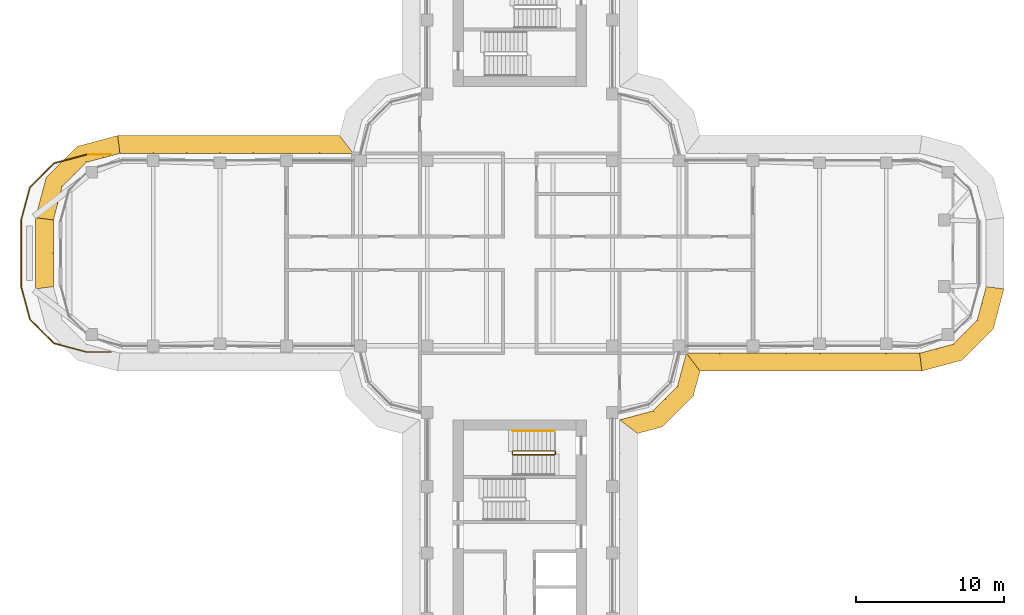
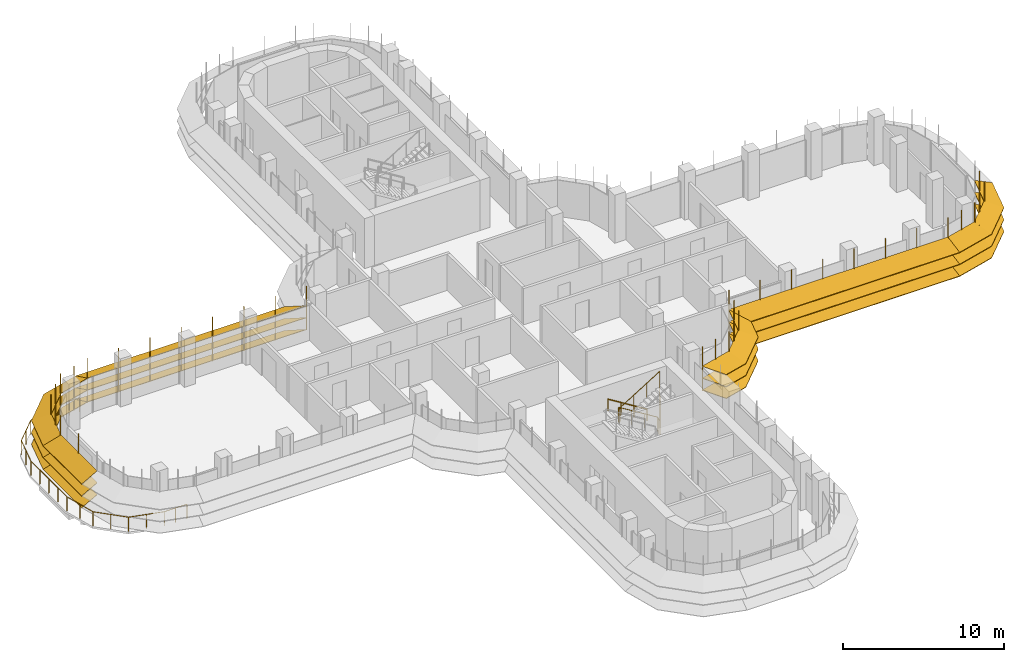
# One storey, part 18 of 20: 6 shading devices, 4 railings.
"""IFC4 building model written with IfcOpenShell, lengths in metres."""

from ifc_helpers import new_model, si_unit, direction, frame, origin, origin_2d, place, context, subcontext, project, spatial, polyline, circle, outline, extrude, faceted_brep, source, transform, mapped, material, type_object, element, save


model = new_model("IFC4")

# Units and contexts
model_context = context("Model", 3, precision=1e-05, world=origin(), true_north=direction((0.0, 1.0)))
body_context = subcontext(model_context, "Body", "Model", "MODEL_VIEW")
ifc_project = project(units=[si_unit("LENGTHUNIT", "METRE"), si_unit("AREAUNIT", "SQUARE_METRE"), si_unit("VOLUMEUNIT", "CUBIC_METRE"), si_unit("PLANEANGLEUNIT", "RADIAN"), si_unit("MASSUNIT", "GRAM", prefix="KILO")], contexts=[model_context])

# Site, building, storey
site_placement = place(None, origin())
site = spatial("IfcSite", under=ifc_project, at=site_placement, CompositionType="ELEMENT")
building_placement = place(site_placement, origin())
building = spatial("IfcBuilding", under=site, at=building_placement, Name="Zarbagh Exchange Tower", CompositionType="ELEMENT")
storey_placement = place(building_placement, frame((0.0, 0.0, 186.60009765625)))
storey = spatial("IfcBuildingStorey", under=building, at=storey_placement, Name="L45", CompositionType="ELEMENT", Elevation=186.60009765625)

# Railings
ifc_material_1 = material(Name="Stainless steel", Category="steel")
railing_type_1 = type_object("IfcRailingType", Name="Stair guard 1100 mm", PredefinedType="GUARDRAIL", material=ifc_material_1)
railing_1_placement = place(storey_placement, frame((-0.5, -13.39990234375, 1.89990234375)))
element("IfcRailing", 1, at=railing_1_placement, inside=storey, type_object=railing_type_1, Name="ST4 stair guard 1", PredefinedType="GUARDRAIL", context=body_context, shape_type="SweptSolid", body=[
    extrude(circle(Radius=0.02392578125, at=origin_2d()), frame((0.0, 0.0, 1.076171875), z_axis=(0.0, -1.0, 0.0), x_axis=(1.0, 0.0, 0.0)), (0.0, 0.0, 1.0), 0.150146484375),
    extrude(circle(Radius=0.02392578125, at=origin_2d()), frame((0.0, -0.150146484375, 1.076171875), z_axis=(0.268277960024, -0.268277960024, 0.925231793839), x_axis=(0.707106781187, 0.707106781187, 0.0)), (0.0, 0.0, 1.0), 0.1865234375),
    extrude(circle(Radius=0.02392578125, at=origin_2d()), frame((0.050048828125, -0.2001953125, 1.24853515625), z_axis=(0.851089632645, 0.0, 0.525020415988), x_axis=(0.0, 1.0, 0.0)), (0.0, 0.0, 1.0), 3.2900390625),
    extrude(circle(Radius=0.02392578125, at=origin_2d()), frame((2.85009765625, -0.2001953125, 2.97607421875), z_axis=(0.013104908129, 0.013169147875, -0.999827402569), x_axis=(-0.708833529934, 0.705375805398, 0.0)), (0.0, 0.0, 1.0), 3.800537109375),
    extrude(circle(Radius=0.02392578125, at=origin_2d()), frame((2.89990234375, -0.150146484375, -0.82373046875), z_axis=(0.0, 1.0, 0.0), x_axis=(-1.0, 0.0, 0.0)), (0.0, 0.0, 1.0), 0.150146484375),
    extrude(circle(Radius=0.02392578125, at=origin_2d()), frame((2.89990234375, 0.0, -0.82373046875), z_axis=(-0.26715648603, 0.26715648603, 0.925880566782), x_axis=(-0.707106781187, -0.707106781187, 0.0)), (0.0, 0.0, 1.0), 0.1865234375),
    extrude(circle(Radius=0.02392578125, at=origin_2d()), frame((2.85009765625, 0.0498046875, -0.6513671875), z_axis=(-0.851089632645, 0.0, 0.525020415988), x_axis=(0.0, -1.0, 0.0)), (0.0, 0.0, 1.0), 3.2900390625),
    extrude(circle(Radius=0.02099609375, at=origin_2d()), origin(), (0.0, 0.0, 1.0), 1.052001953125),
    extrude(circle(Radius=0.02099609375, at=origin_2d()), frame((0.0, -0.150146484375, 0.0)), (0.0, 0.0, 1.0), 1.052001953125),
    extrude(circle(Radius=0.02099609375, at=origin_2d()), frame((0.050048828125, -0.2001953125, 0.172607421875)), (0.0, 0.0, 1.0), 1.052001953125),
    extrude(circle(Radius=0.02099609375, at=origin_2d()), frame((0.9833984375, -0.2001953125, 0.748291015625)), (0.0, 0.0, 1.0), 1.052001953125),
    extrude(circle(Radius=0.02099609375, at=origin_2d()), frame((1.916748046875, -0.2001953125, 1.32421875)), (0.0, 0.0, 1.0), 1.052001953125),
    extrude(circle(Radius=0.02099609375, at=origin_2d()), frame((2.85009765625, -0.2001953125, 1.89990234375)), (0.0, 0.0, 1.0), 1.052001953125),
    extrude(circle(Radius=0.02099609375, at=origin_2d()), frame((2.862548828125, -0.187744140625, 0.949951171875)), (0.0, 0.0, 1.0), 1.052001953125),
    extrude(circle(Radius=0.02099609375, at=origin_2d()), frame((2.875, -0.17529296875, 0.0)), (0.0, 0.0, 1.0), 1.052001953125),
    extrude(circle(Radius=0.02099609375, at=origin_2d()), frame((2.887451171875, -0.16259765625, -0.949951171875)), (0.0, 0.0, 1.0), 1.052001953125),
    extrude(circle(Radius=0.02099609375, at=origin_2d()), frame((2.89990234375, -0.150146484375, -1.89990234375)), (0.0, 0.0, 1.0), 1.052001953125),
    extrude(circle(Radius=0.02099609375, at=origin_2d()), frame((2.89990234375, 0.0, -1.89990234375)), (0.0, 0.0, 1.0), 1.052001953125),
    extrude(circle(Radius=0.02099609375, at=origin_2d()), frame((2.85009765625, 0.0498046875, -1.727294921875)), (0.0, 0.0, 1.0), 1.052001953125),
    extrude(circle(Radius=0.02099609375, at=origin_2d()), frame((1.916748046875, 0.0498046875, -1.151611328125)), (0.0, 0.0, 1.0), 1.052001953125),
    extrude(circle(Radius=0.02099609375, at=origin_2d()), frame((0.9833984375, 0.0498046875, -0.57568359375)), (0.0, 0.0, 1.0), 1.052001953125),
    extrude(circle(Radius=0.02099609375, at=origin_2d()), frame((0.050048828125, 0.0498046875, 0.0)), (0.0, 0.0, 1.0), 1.052001953125),
])
railing_type_2 = type_object("IfcRailingType", Name="Stair handrail 900 mm", PredefinedType="HANDRAIL", material=ifc_material_1)
railing_2_placement = place(storey_placement, frame((2.35009765625, -12.0, 0.172607421875)))
element("IfcRailing", 2, at=railing_2_placement, inside=storey, type_object=railing_type_2, Name="ST4 stair handrail 1", PredefinedType="HANDRAIL", context=body_context, shape_type="SweptSolid", body=[
    extrude(circle(Radius=0.02392578125, at=origin_2d()), frame((0.0, 0.0, 0.8759765625), z_axis=(-0.851089632645, 0.0, 0.525020415988), x_axis=(0.0, -1.0, 0.0)), (0.0, 0.0, 1.0), 3.2900390625),
    extrude(circle(Radius=0.02099609375, at=origin_2d()), origin(), (0.0, 0.0, 1.0), 0.851806640625),
    extrude(circle(Radius=0.02099609375, at=origin_2d()), frame((-0.933349609375, 0.0, 0.57568359375)), (0.0, 0.0, 1.0), 0.851806640625),
    extrude(circle(Radius=0.02099609375, at=origin_2d()), frame((-1.86669921875, 0.0, 1.151611328125)), (0.0, 0.0, 1.0), 0.851806640625),
    extrude(circle(Radius=0.02099609375, at=origin_2d()), frame((-2.800048828125, 0.0, 1.727294921875)), (0.0, 0.0, 1.0), 0.851806640625),
])
ifc_material_2 = material(Name="Stainless steel and laminated glass", Category="steel")
railing_type_3 = type_object("IfcRailingType", Name="Terrace guard, glass balustrade 1.1 m", PredefinedType="GUARDRAIL", material=ifc_material_2)
railing_3_placement = place(storey_placement, frame((-27.607666015625, -6.669921875, 0.0)))
element("IfcRailing", 3, at=railing_3_placement, inside=storey, type_object=railing_type_3, Name="TG01 terrace guard", PredefinedType="GUARDRAIL", context=body_context, shape_type="SweptSolid", body=[
    extrude(circle(Radius=0.02490234375, at=origin_2d()), frame((0.0, 0.0, 1.0751953125), z_axis=(-1.0, 0.0, 0.0), x_axis=(0.0, -1.0, 0.0)), (0.0, 0.0, 1.0), 1.6318359375),
    extrude(circle(Radius=0.02490234375, at=origin_2d()), frame((-1.6318359375, 0.0, 1.0751953125), z_axis=(-0.965936192935, 0.258780353152, 0.0), x_axis=(-0.258780353152, -0.965936192935, 0.0)), (0.0, 0.0, 1.0), 2.29736328125),
    extrude(circle(Radius=0.02490234375, at=origin_2d()), frame((-3.850830078125, 0.594482421875, 1.0751953125), z_axis=(-0.707106781187, 0.707106781187, 0.0), x_axis=(-0.707106781187, -0.707106781187, 0.0)), (0.0, 0.0, 1.0), 2.28662109375),
    extrude(circle(Radius=0.02490234375, at=origin_2d()), frame((-5.4677734375, 2.21142578125, 1.0751953125), z_axis=(-0.258780353152, 0.965936192935, 0.0), x_axis=(-0.965936192935, -0.258780353152, 0.0)), (0.0, 0.0, 1.0), 2.29736328125),
    extrude(circle(Radius=0.02490234375, at=origin_2d()), frame((-6.062255859375, 4.430419921875, 1.0751953125), z_axis=(0.0, 1.0, 0.0), x_axis=(-1.0, 0.0, 0.0)), (0.0, 0.0, 1.0), 4.47900390625),
    extrude(circle(Radius=0.02490234375, at=origin_2d()), frame((-6.062255859375, 8.909423828125, 1.0751953125), z_axis=(0.258780353152, 0.965936192935, 0.0), x_axis=(-0.965936192935, 0.258780353152, 0.0)), (0.0, 0.0, 1.0), 2.29736328125),
    extrude(circle(Radius=0.02490234375, at=origin_2d()), frame((-5.4677734375, 11.12841796875, 1.0751953125), z_axis=(0.707106781187, 0.707106781187, 0.0), x_axis=(-0.707106781187, 0.707106781187, 0.0)), (0.0, 0.0, 1.0), 2.28662109375),
    extrude(circle(Radius=0.02490234375, at=origin_2d()), frame((-3.850830078125, 12.745361328125, 1.0751953125), z_axis=(0.965936192935, 0.258780353152, 0.0), x_axis=(-0.258780353152, 0.965936192935, 0.0)), (0.0, 0.0, 1.0), 2.29736328125),
    extrude(circle(Radius=0.02490234375, at=origin_2d()), frame((-1.6318359375, 13.33984375, 1.0751953125), z_axis=(1.0, 0.0, 0.0), x_axis=(0.0, 1.0, 0.0)), (0.0, 0.0, 1.0), 0.126708984375),
    extrude(circle(Radius=0.02490234375, at=origin_2d()), origin(), (0.0, 0.0, 1.0), 1.050048828125),
    extrude(circle(Radius=0.02490234375, at=origin_2d()), frame((-0.81591796875, 0.0, 0.0)), (0.0, 0.0, 1.0), 1.050048828125),
    extrude(circle(Radius=0.02490234375, at=origin_2d()), frame((-1.6318359375, 0.0, 0.0)), (0.0, 0.0, 1.0), 1.050048828125),
    extrude(circle(Radius=0.02490234375, at=origin_2d()), frame((-2.7412109375, 0.29736328125, 0.0)), (0.0, 0.0, 1.0), 1.050048828125),
    extrude(circle(Radius=0.02490234375, at=origin_2d()), frame((-3.850830078125, 0.594482421875, 0.0)), (0.0, 0.0, 1.0), 1.050048828125),
    extrude(circle(Radius=0.02490234375, at=origin_2d()), frame((-4.6591796875, 1.40283203125, 0.0)), (0.0, 0.0, 1.0), 1.050048828125),
    extrude(circle(Radius=0.02490234375, at=origin_2d()), frame((-5.4677734375, 2.21142578125, 0.0)), (0.0, 0.0, 1.0), 1.050048828125),
    extrude(circle(Radius=0.02490234375, at=origin_2d()), frame((-5.76513671875, 3.32080078125, 0.0)), (0.0, 0.0, 1.0), 1.050048828125),
    extrude(circle(Radius=0.02490234375, at=origin_2d()), frame((-6.062255859375, 4.430419921875, 0.0)), (0.0, 0.0, 1.0), 1.050048828125),
    extrude(circle(Radius=0.02490234375, at=origin_2d()), frame((-6.062255859375, 5.55029296875, 0.0)), (0.0, 0.0, 1.0), 1.050048828125),
    extrude(circle(Radius=0.02490234375, at=origin_2d()), frame((-6.062255859375, 6.669921875, 0.0)), (0.0, 0.0, 1.0), 1.050048828125),
    extrude(circle(Radius=0.02490234375, at=origin_2d()), frame((-6.062255859375, 7.78955078125, 0.0)), (0.0, 0.0, 1.0), 1.050048828125),
    extrude(circle(Radius=0.02490234375, at=origin_2d()), frame((-6.062255859375, 8.909423828125, 0.0)), (0.0, 0.0, 1.0), 1.050048828125),
    extrude(circle(Radius=0.02490234375, at=origin_2d()), frame((-5.76513671875, 10.01904296875, 0.0)), (0.0, 0.0, 1.0), 1.050048828125),
    extrude(circle(Radius=0.02490234375, at=origin_2d()), frame((-5.4677734375, 11.12841796875, 0.0)), (0.0, 0.0, 1.0), 1.050048828125),
    extrude(circle(Radius=0.02490234375, at=origin_2d()), frame((-4.6591796875, 11.93701171875, 0.0)), (0.0, 0.0, 1.0), 1.050048828125),
    extrude(circle(Radius=0.02490234375, at=origin_2d()), frame((-3.850830078125, 12.745361328125, 0.0)), (0.0, 0.0, 1.0), 1.050048828125),
    extrude(circle(Radius=0.02490234375, at=origin_2d()), frame((-2.7412109375, 13.04248046875, 0.0)), (0.0, 0.0, 1.0), 1.050048828125),
    extrude(circle(Radius=0.02490234375, at=origin_2d()), frame((-1.6318359375, 13.33984375, 0.0)), (0.0, 0.0, 1.0), 1.050048828125),
    extrude(circle(Radius=0.02490234375, at=origin_2d()), frame((-1.505126953125, 13.33984375, 0.0)), (0.0, 0.0, 1.0), 1.050048828125),
])
railing_4_placement = place(storey_placement, frame((-29.11279296875, 6.669921875, 0.0)))
element("IfcRailing", 4, at=railing_4_placement, inside=storey, type_object=railing_type_3, Name="TG01 terrace guard", PredefinedType="GUARDRAIL", context=body_context, shape_type="SweptSolid", body=[
    extrude(circle(Radius=0.02490234375, at=origin_2d()), frame((0.0, 0.0, 1.0751953125), z_axis=(1.0, 0.0, 0.0), x_axis=(0.0, 1.0, 0.0)), (0.0, 0.0, 1.0), 1.505126953125),
    extrude(circle(Radius=0.02490234375, at=origin_2d()), origin(), (0.0, 0.0, 1.0), 1.050048828125),
    extrude(circle(Radius=0.02490234375, at=origin_2d()), frame((0.75244140625, 0.0, 0.0)), (0.0, 0.0, 1.0), 1.050048828125),
    extrude(circle(Radius=0.02490234375, at=origin_2d()), frame((1.505126953125, 0.0, 0.0)), (0.0, 0.0, 1.0), 1.050048828125),
])

# Shading devices
ifc_material_3 = material(Name="Anodised aluminium blades and brackets", Category="aluminium")
shading_device_type = type_object("IfcShadingDeviceType", Name="SUNSHADE louvre band, 22.5 degree blades", PredefinedType="JALOUSIE", material=ifc_material_3)
shared_shape_1 = source(origin(), body_context, "Body", "Brep", [
    faceted_brep([(0.0, 0.0, 0.0), (0.0, 0.0, -0.043212890625), (-0.157958984375, -1.199951171875, -0.540283203125), (-0.157958984375, -1.199951171875, -0.4970703125), (2.65087890625, -1.199951171875, -0.4970703125), (2.65087890625, -1.199951171875, -0.540283203125), (2.329345703125, 0.0, -0.043212890625), (2.329345703125, 0.0, 0.0)], [[[0, 1, 2, 3]], [[4, 5, 6, 7]], [[0, 7, 6, 1]], [[1, 6, 5, 2]], [[2, 5, 4, 3]], [[3, 4, 7, 0]]]),
])
shared_shape_2 = source(origin(), body_context, "Body", "Brep", [
    faceted_brep([(0.0, 0.0, 0.0), (0.0, 0.0, -0.043212890625), (-0.321533203125, -1.199951171875, -0.540283203125), (-0.321533203125, -1.199951171875, -0.4970703125), (2.65087890625, -1.199951171875, -0.4970703125), (2.65087890625, -1.199951171875, -0.540283203125), (2.329345703125, 0.0, -0.043212890625), (2.329345703125, 0.0, 0.0)], [[[0, 1, 2, 3]], [[4, 5, 6, 7]], [[0, 7, 6, 1]], [[1, 6, 5, 2]], [[2, 5, 4, 3]], [[3, 4, 7, 0]]]),
])
shared_shape_3 = source(origin(), body_context, "Body", "Brep", [
    faceted_brep([(0.0, 0.0, 0.0), (0.0, 0.0, -0.043212890625), (-0.321533203125, -1.199951171875, -0.540283203125), (-0.321533203125, -1.199951171875, -0.4970703125), (2.4873046875, -1.199951171875, -0.4970703125), (2.4873046875, -1.199951171875, -0.540283203125), (2.329345703125, 0.0, -0.043212890625), (2.329345703125, 0.0, 0.0)], [[[0, 1, 2, 3]], [[4, 5, 6, 7]], [[0, 7, 6, 1]], [[1, 6, 5, 2]], [[2, 5, 4, 3]], [[3, 4, 7, 0]]]),
])
shared_shape_4 = source(origin(), body_context, "Body", "SweptSolid", [
    extrude(outline(polyline([(0.0, -0.012451171875), (0.06005859375, -0.012451171875), (0.06005859375, 0.012451171875), (0.0, 0.012451171875), (0.0, -0.012451171875)])), origin(), (0.0, 0.0, 1.0), 3.353271484375),
])
placement = place(storey_placement, origin())
element("IfcShadingDevice", 5, at=placement, inside=storey, type_object=shading_device_type, Name="SS31 sunshade band", PredefinedType="JALOUSIE", context=body_context, shape_type="MappedRepresentation", body=[
    mapped(shared_shape_1, transform((27.0, -6.75, 2.2998046875), x_axis=(0.965924289636, 0.258824779902, 0.0), y_axis=(-0.258824779902, 0.965924289636, 0.0), z_axis=(0.0, 0.0, 1.0))),
    mapped(shared_shape_1, transform((27.0, -6.75, 1.39990234375), x_axis=(0.965924289636, 0.258824779902, 0.0), y_axis=(-0.258824779902, 0.965924289636, 0.0), z_axis=(0.0, 0.0, 1.0))),
    mapped(shared_shape_1, transform((27.0, -6.75, 0.5), x_axis=(0.965924289636, 0.258824779902, 0.0), y_axis=(-0.258824779902, 0.965924289636, 0.0), z_axis=(0.0, 0.0, 1.0))),
    mapped(shared_shape_2, transform((29.25, -6.147216796875, 2.2998046875), x_axis=(0.707106781187, 0.707106781187, 0.0), y_axis=(-0.707106781187, 0.707106781187, 0.0), z_axis=(0.0, 0.0, 1.0))),
    mapped(shared_shape_2, transform((29.25, -6.147216796875, 1.39990234375), x_axis=(0.707106781187, 0.707106781187, 0.0), y_axis=(-0.707106781187, 0.707106781187, 0.0), z_axis=(0.0, 0.0, 1.0))),
    mapped(shared_shape_2, transform((29.25, -6.147216796875, 0.5), x_axis=(0.707106781187, 0.707106781187, 0.0), y_axis=(-0.707106781187, 0.707106781187, 0.0), z_axis=(0.0, 0.0, 1.0))),
    mapped(shared_shape_3, transform((30.897216796875, -4.5, 2.2998046875), x_axis=(0.258824779902, 0.965924289636, 0.0), y_axis=(-0.965924289636, 0.258824779902, 0.0), z_axis=(0.0, 0.0, 1.0))),
    mapped(shared_shape_3, transform((30.897216796875, -4.5, 1.39990234375), x_axis=(0.258824779902, 0.965924289636, 0.0), y_axis=(-0.965924289636, 0.258824779902, 0.0), z_axis=(0.0, 0.0, 1.0))),
    mapped(shared_shape_3, transform((30.897216796875, -4.5, 0.5), x_axis=(0.258824779902, 0.965924289636, 0.0), y_axis=(-0.965924289636, 0.258824779902, 0.0), z_axis=(0.0, 0.0, 1.0))),
    mapped(shared_shape_4, transform((27.0, -6.75, 0.426513671875), x_axis=(0.130529263012, -0.991444457092, 0.0), y_axis=(0.991444457092, 0.130529263012, 0.0), z_axis=(0.0, 0.0, 1.0))),
    mapped(shared_shape_4, transform((28.125, -6.448486328125, 0.426513671875), x_axis=(0.258825058029, -0.96592421511, 0.0), y_axis=(0.96592421511, 0.258825058029, 0.0), z_axis=(0.0, 0.0, 1.0))),
    mapped(shared_shape_4, transform((29.25, -6.147216796875, 0.426513671875), x_axis=(0.50000275701, -0.866023812018, 0.0), y_axis=(0.866023812018, 0.50000275701, 0.0), z_axis=(0.0, 0.0, 1.0))),
    mapped(shared_shape_4, transform((30.073486328125, -5.323486328125, 0.426513671875), x_axis=(0.707106781187, -0.707106781187, 0.0), y_axis=(0.707106781187, 0.707106781187, 0.0), z_axis=(0.0, 0.0, 1.0))),
    mapped(shared_shape_4, transform((30.897216796875, -4.5, 0.426513671875), x_axis=(0.866023812018, -0.50000275701, 0.0), y_axis=(0.50000275701, 0.866023812018, 0.0), z_axis=(0.0, 0.0, 1.0))),
    mapped(shared_shape_4, transform((31.198486328125, -3.375, 0.426513671875), x_axis=(0.96592421511, -0.258825058029, 0.0), y_axis=(0.258825058029, 0.96592421511, 0.0), z_axis=(0.0, 0.0, 1.0))),
])
element("IfcShadingDevice", 6, at=placement, inside=storey, type_object=shading_device_type, Name="SS41 sunshade band", PredefinedType="JALOUSIE", context=body_context, shape_type="MappedRepresentation", body=[
    mapped(shared_shape_1, transform((-27.0, 6.75, 2.2998046875), x_axis=(-0.965924289636, -0.258824779902, 0.0), y_axis=(0.258824779902, -0.965924289636, 0.0), z_axis=(0.0, 0.0, 1.0))),
    mapped(shared_shape_1, transform((-27.0, 6.75, 1.39990234375), x_axis=(-0.965924289636, -0.258824779902, 0.0), y_axis=(0.258824779902, -0.965924289636, 0.0), z_axis=(0.0, 0.0, 1.0))),
    mapped(shared_shape_1, transform((-27.0, 6.75, 0.5), x_axis=(-0.965924289636, -0.258824779902, 0.0), y_axis=(0.258824779902, -0.965924289636, 0.0), z_axis=(0.0, 0.0, 1.0))),
    mapped(shared_shape_2, transform((-29.25, 6.147216796875, 2.2998046875), x_axis=(-0.707106781187, -0.707106781187, 0.0), y_axis=(0.707106781187, -0.707106781187, 0.0), z_axis=(0.0, 0.0, 1.0))),
    mapped(shared_shape_2, transform((-29.25, 6.147216796875, 1.39990234375), x_axis=(-0.707106781187, -0.707106781187, 0.0), y_axis=(0.707106781187, -0.707106781187, 0.0), z_axis=(0.0, 0.0, 1.0))),
    mapped(shared_shape_2, transform((-29.25, 6.147216796875, 0.5), x_axis=(-0.707106781187, -0.707106781187, 0.0), y_axis=(0.707106781187, -0.707106781187, 0.0), z_axis=(0.0, 0.0, 1.0))),
    mapped(shared_shape_3, transform((-30.897216796875, 4.5, 2.2998046875), x_axis=(-0.258824779902, -0.965924289636, 0.0), y_axis=(0.965924289636, -0.258824779902, 0.0), z_axis=(0.0, 0.0, 1.0))),
    mapped(shared_shape_3, transform((-30.897216796875, 4.5, 1.39990234375), x_axis=(-0.258824779902, -0.965924289636, 0.0), y_axis=(0.965924289636, -0.258824779902, 0.0), z_axis=(0.0, 0.0, 1.0))),
    mapped(shared_shape_3, transform((-30.897216796875, 4.5, 0.5), x_axis=(-0.258824779902, -0.965924289636, 0.0), y_axis=(0.965924289636, -0.258824779902, 0.0), z_axis=(0.0, 0.0, 1.0))),
    mapped(shared_shape_4, transform((-27.0, 6.75, 0.426513671875), x_axis=(-0.130529263012, 0.991444457092, 0.0), y_axis=(-0.991444457092, -0.130529263012, 0.0), z_axis=(0.0, 0.0, 1.0))),
    mapped(shared_shape_4, transform((-28.125, 6.448486328125, 0.426513671875), x_axis=(-0.258825058029, 0.96592421511, 0.0), y_axis=(-0.96592421511, -0.258825058029, 0.0), z_axis=(0.0, 0.0, 1.0))),
    mapped(shared_shape_4, transform((-29.25, 6.147216796875, 0.426513671875), x_axis=(-0.50000275701, 0.866023812018, 0.0), y_axis=(-0.866023812018, -0.50000275701, 0.0), z_axis=(0.0, 0.0, 1.0))),
    mapped(shared_shape_4, transform((-30.073486328125, 5.323486328125, 0.426513671875), x_axis=(-0.707106781187, 0.707106781187, 0.0), y_axis=(-0.707106781187, -0.707106781187, 0.0), z_axis=(0.0, 0.0, 1.0))),
    mapped(shared_shape_4, transform((-30.897216796875, 4.5, 0.426513671875), x_axis=(-0.866023812018, 0.50000275701, 0.0), y_axis=(-0.50000275701, -0.866023812018, 0.0), z_axis=(0.0, 0.0, 1.0))),
    mapped(shared_shape_4, transform((-31.198486328125, 3.375, 0.426513671875), x_axis=(-0.96592421511, 0.258825058029, 0.0), y_axis=(-0.258825058029, -0.96592421511, 0.0), z_axis=(0.0, 0.0, 1.0))),
])
shared_shape_5 = source(origin(), body_context, "Body", "Brep", [
    faceted_brep([(0.0, 0.0, 0.0), (0.0, 0.0, -0.043212890625), (0.9208984375, -1.199951171875, -0.540283203125), (0.9208984375, -1.199951171875, -0.4970703125), (2.65087890625, -1.199951171875, -0.4970703125), (2.65087890625, -1.199951171875, -0.540283203125), (2.329345703125, 0.0, -0.043212890625), (2.329345703125, 0.0, 0.0)], [[[0, 1, 2, 3]], [[4, 5, 6, 7]], [[0, 7, 6, 1]], [[1, 6, 5, 2]], [[2, 5, 4, 3]], [[3, 4, 7, 0]]]),
])
shared_shape_6 = source(origin(), body_context, "Body", "Brep", [
    faceted_brep([(0.0, 0.0, 0.0), (0.0, 0.0, -0.043212890625), (-0.321533203125, -1.199951171875, -0.540283203125), (-0.321533203125, -1.199951171875, -0.4970703125), (1.40869140625, -1.199951171875, -0.4970703125), (1.40869140625, -1.199951171875, -0.540283203125), (2.329345703125, 0.0, -0.043212890625), (2.329345703125, 0.0, 0.0)], [[[0, 1, 2, 3]], [[4, 5, 6, 7]], [[0, 7, 6, 1]], [[1, 6, 5, 2]], [[2, 5, 4, 3]], [[3, 4, 7, 0]]]),
])
element("IfcShadingDevice", 7, at=placement, inside=storey, type_object=shading_device_type, Name="SS03 sunshade band", PredefinedType="JALOUSIE", context=body_context, shape_type="MappedRepresentation", body=[
    mapped(shared_shape_5, transform((6.75, -11.25, 2.2998046875), x_axis=(0.965924289636, 0.258824779902, 0.0), y_axis=(-0.258824779902, 0.965924289636, 0.0), z_axis=(0.0, 0.0, 1.0))),
    mapped(shared_shape_5, transform((6.75, -11.25, 1.39990234375), x_axis=(0.965924289636, 0.258824779902, 0.0), y_axis=(-0.258824779902, 0.965924289636, 0.0), z_axis=(0.0, 0.0, 1.0))),
    mapped(shared_shape_5, transform((6.75, -11.25, 0.5), x_axis=(0.965924289636, 0.258824779902, 0.0), y_axis=(-0.258824779902, 0.965924289636, 0.0), z_axis=(0.0, 0.0, 1.0))),
    mapped(shared_shape_2, transform((9.0, -10.647216796875, 2.2998046875), x_axis=(0.707106781187, 0.707106781187, 0.0), y_axis=(-0.707106781187, 0.707106781187, 0.0), z_axis=(0.0, 0.0, 1.0))),
    mapped(shared_shape_2, transform((9.0, -10.647216796875, 1.39990234375), x_axis=(0.707106781187, 0.707106781187, 0.0), y_axis=(-0.707106781187, 0.707106781187, 0.0), z_axis=(0.0, 0.0, 1.0))),
    mapped(shared_shape_2, transform((9.0, -10.647216796875, 0.5), x_axis=(0.707106781187, 0.707106781187, 0.0), y_axis=(-0.707106781187, 0.707106781187, 0.0), z_axis=(0.0, 0.0, 1.0))),
    mapped(shared_shape_6, transform((10.647216796875, -9.0, 2.2998046875), x_axis=(0.258824779902, 0.965924289636, 0.0), y_axis=(-0.965924289636, 0.258824779902, 0.0), z_axis=(0.0, 0.0, 1.0))),
    mapped(shared_shape_6, transform((10.647216796875, -9.0, 1.39990234375), x_axis=(0.258824779902, 0.965924289636, 0.0), y_axis=(-0.965924289636, 0.258824779902, 0.0), z_axis=(0.0, 0.0, 1.0))),
    mapped(shared_shape_6, transform((10.647216796875, -9.0, 0.5), x_axis=(0.258824779902, 0.965924289636, 0.0), y_axis=(-0.965924289636, 0.258824779902, 0.0), z_axis=(0.0, 0.0, 1.0))),
    mapped(shared_shape_4, transform((6.75, -11.25, 0.426513671875), x_axis=(0.793355287, -0.608758892, 0.0), y_axis=(0.608758892, 0.793355287, 0.0), z_axis=(0.0, 0.0, 1.0))),
    mapped(shared_shape_4, transform((7.875, -10.948486328125, 0.426513671875), x_axis=(0.258825058029, -0.96592421511, 0.0), y_axis=(0.96592421511, 0.258825058029, 0.0), z_axis=(0.0, 0.0, 1.0))),
    mapped(shared_shape_4, transform((9.0, -10.647216796875, 0.426513671875), x_axis=(0.50000275701, -0.866023812018, 0.0), y_axis=(0.866023812018, 0.50000275701, 0.0), z_axis=(0.0, 0.0, 1.0))),
    mapped(shared_shape_4, transform((9.823486328125, -9.823486328125, 0.426513671875), x_axis=(0.707106781187, -0.707106781187, 0.0), y_axis=(0.707106781187, 0.707106781187, 0.0), z_axis=(0.0, 0.0, 1.0))),
    mapped(shared_shape_4, transform((10.647216796875, -9.0, 0.426513671875), x_axis=(0.866023812018, -0.50000275701, 0.0), y_axis=(0.50000275701, 0.866023812018, 0.0), z_axis=(0.0, 0.0, 1.0))),
    mapped(shared_shape_4, transform((10.948486328125, -7.875, 0.426513671875), x_axis=(0.96592421511, -0.258825058029, 0.0), y_axis=(0.258825058029, 0.96592421511, 0.0), z_axis=(0.0, 0.0, 1.0))),
])
shared_shape_7 = source(origin(), body_context, "Body", "Brep", [
    faceted_brep([(0.0, 0.0, 0.0), (0.0, 0.0, -0.043212890625), (0.9208984375, -1.199951171875, -0.540283203125), (0.9208984375, -1.199951171875, -0.4970703125), (15.907958984375, -1.199951171875, -0.4970703125), (15.907958984375, -1.199951171875, -0.540283203125), (15.75, 0.0, -0.043212890625), (15.75, 0.0, 0.0)], [[[0, 1, 2, 3]], [[4, 5, 6, 7]], [[0, 7, 6, 1]], [[1, 6, 5, 2]], [[2, 5, 4, 3]], [[3, 4, 7, 0]]]),
])
element("IfcShadingDevice", 8, at=placement, inside=storey, type_object=shading_device_type, Name="SS30 sunshade band", PredefinedType="JALOUSIE", context=body_context, shape_type="MappedRepresentation", body=[
    mapped(shared_shape_7, transform((11.25, -6.75, 2.2998046875), x_axis=(1.0, 0.0, 0.0), y_axis=(0.0, 1.0, 0.0), z_axis=(0.0, 0.0, 1.0))),
    mapped(shared_shape_7, transform((11.25, -6.75, 1.39990234375), x_axis=(1.0, 0.0, 0.0), y_axis=(0.0, 1.0, 0.0), z_axis=(0.0, 0.0, 1.0))),
    mapped(shared_shape_7, transform((11.25, -6.75, 0.5), x_axis=(1.0, 0.0, 0.0), y_axis=(0.0, 1.0, 0.0), z_axis=(0.0, 0.0, 1.0))),
    mapped(shared_shape_4, transform((11.25, -6.75, 0.426513671875), x_axis=(0.608758892, -0.793355287, 0.0), y_axis=(0.793355287, 0.608758892, 0.0), z_axis=(0.0, 0.0, 1.0))),
    mapped(shared_shape_4, transform((13.5, -6.75, 0.426513671875), x_axis=(0.0, -1.0, 0.0), y_axis=(1.0, 0.0, 0.0), z_axis=(0.0, 0.0, 1.0))),
    mapped(shared_shape_4, transform((15.75, -6.75, 0.426513671875), x_axis=(0.0, -1.0, 0.0), y_axis=(1.0, 0.0, 0.0), z_axis=(0.0, 0.0, 1.0))),
    mapped(shared_shape_4, transform((18.0, -6.75, 0.426513671875), x_axis=(0.0, -1.0, 0.0), y_axis=(1.0, 0.0, 0.0), z_axis=(0.0, 0.0, 1.0))),
    mapped(shared_shape_4, transform((20.25, -6.75, 0.426513671875), x_axis=(0.0, -1.0, 0.0), y_axis=(1.0, 0.0, 0.0), z_axis=(0.0, 0.0, 1.0))),
    mapped(shared_shape_4, transform((22.5, -6.75, 0.426513671875), x_axis=(0.0, -1.0, 0.0), y_axis=(1.0, 0.0, 0.0), z_axis=(0.0, 0.0, 1.0))),
    mapped(shared_shape_4, transform((24.75, -6.75, 0.426513671875), x_axis=(0.0, -1.0, 0.0), y_axis=(1.0, 0.0, 0.0), z_axis=(0.0, 0.0, 1.0))),
])
element("IfcShadingDevice", 9, at=placement, inside=storey, type_object=shading_device_type, Name="SS40 sunshade band", PredefinedType="JALOUSIE", context=body_context, shape_type="MappedRepresentation", body=[
    mapped(shared_shape_7, transform((-11.25, 6.75, 2.2998046875), x_axis=(-1.0, 0.0, 0.0), y_axis=(0.0, -1.0, 0.0), z_axis=(0.0, 0.0, 1.0))),
    mapped(shared_shape_7, transform((-11.25, 6.75, 1.39990234375), x_axis=(-1.0, 0.0, 0.0), y_axis=(0.0, -1.0, 0.0), z_axis=(0.0, 0.0, 1.0))),
    mapped(shared_shape_7, transform((-11.25, 6.75, 0.5), x_axis=(-1.0, 0.0, 0.0), y_axis=(0.0, -1.0, 0.0), z_axis=(0.0, 0.0, 1.0))),
    mapped(shared_shape_4, transform((-11.25, 6.75, 0.426513671875), x_axis=(-0.608758892, 0.793355287, 0.0), y_axis=(-0.793355287, -0.608758892, 0.0), z_axis=(0.0, 0.0, 1.0))),
    mapped(shared_shape_4, transform((-13.5, 6.75, 0.426513671875), x_axis=(0.0, 1.0, 0.0), y_axis=(-1.0, 0.0, 0.0), z_axis=(0.0, 0.0, 1.0))),
    mapped(shared_shape_4, transform((-15.75, 6.75, 0.426513671875), x_axis=(0.0, 1.0, 0.0), y_axis=(-1.0, 0.0, 0.0), z_axis=(0.0, 0.0, 1.0))),
    mapped(shared_shape_4, transform((-18.0, 6.75, 0.426513671875), x_axis=(0.0, 1.0, 0.0), y_axis=(-1.0, 0.0, 0.0), z_axis=(0.0, 0.0, 1.0))),
    mapped(shared_shape_4, transform((-20.25, 6.75, 0.426513671875), x_axis=(0.0, 1.0, 0.0), y_axis=(-1.0, 0.0, 0.0), z_axis=(0.0, 0.0, 1.0))),
    mapped(shared_shape_4, transform((-22.5, 6.75, 0.426513671875), x_axis=(0.0, 1.0, 0.0), y_axis=(-1.0, 0.0, 0.0), z_axis=(0.0, 0.0, 1.0))),
    mapped(shared_shape_4, transform((-24.75, 6.75, 0.426513671875), x_axis=(0.0, 1.0, 0.0), y_axis=(-1.0, 0.0, 0.0), z_axis=(0.0, 0.0, 1.0))),
])
shared_shape_8 = source(origin(), body_context, "Body", "Brep", [
    faceted_brep([(0.0, 0.0, 0.0), (0.0, 0.0, -0.043212890625), (-0.157958984375, -1.199951171875, -0.540283203125), (-0.157958984375, -1.199951171875, -0.4970703125), (4.657958984375, -1.199951171875, -0.4970703125), (4.657958984375, -1.199951171875, -0.540283203125), (4.5, 0.0, -0.043212890625), (4.5, 0.0, 0.0)], [[[0, 1, 2, 3]], [[4, 5, 6, 7]], [[0, 7, 6, 1]], [[1, 6, 5, 2]], [[2, 5, 4, 3]], [[3, 4, 7, 0]]]),
])
element("IfcShadingDevice", 10, at=placement, inside=storey, type_object=shading_device_type, Name="SS42 sunshade band", PredefinedType="JALOUSIE", context=body_context, shape_type="MappedRepresentation", body=[
    mapped(shared_shape_8, transform((-31.5, 2.25, 2.2998046875), x_axis=(0.0, -1.0, 0.0), y_axis=(1.0, 0.0, 0.0), z_axis=(0.0, 0.0, 1.0))),
    mapped(shared_shape_8, transform((-31.5, 2.25, 1.39990234375), x_axis=(0.0, -1.0, 0.0), y_axis=(1.0, 0.0, 0.0), z_axis=(0.0, 0.0, 1.0))),
    mapped(shared_shape_8, transform((-31.5, 2.25, 0.5), x_axis=(0.0, -1.0, 0.0), y_axis=(1.0, 0.0, 0.0), z_axis=(0.0, 0.0, 1.0))),
    mapped(shared_shape_4, transform((-31.5, 2.25, 0.426513671875), x_axis=(-0.991444457092, 0.130529263012, 0.0), y_axis=(-0.130529263012, -0.991444457092, 0.0), z_axis=(0.0, 0.0, 1.0))),
    mapped(shared_shape_4, transform((-31.5, 0.0, 0.426513671875), x_axis=(-1.0, 0.0, 0.0), y_axis=(0.0, -1.0, 0.0), z_axis=(0.0, 0.0, 1.0))),
])

save(model, "model.ifc")
